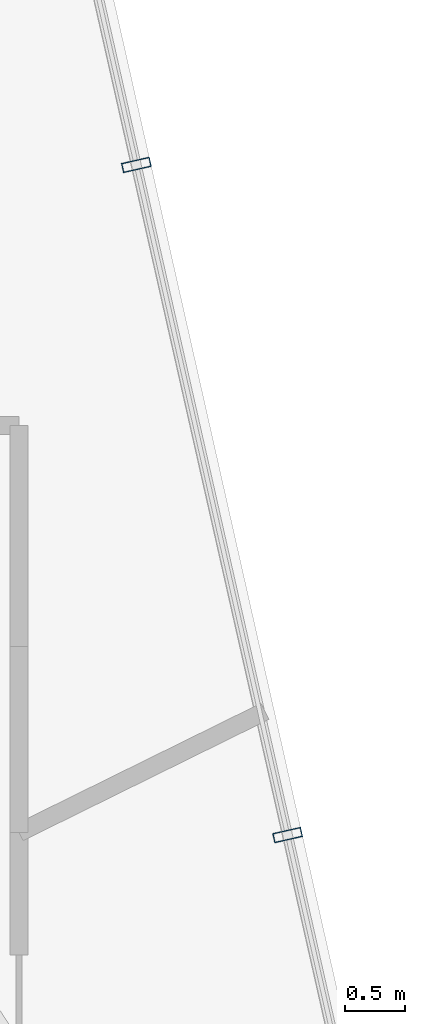
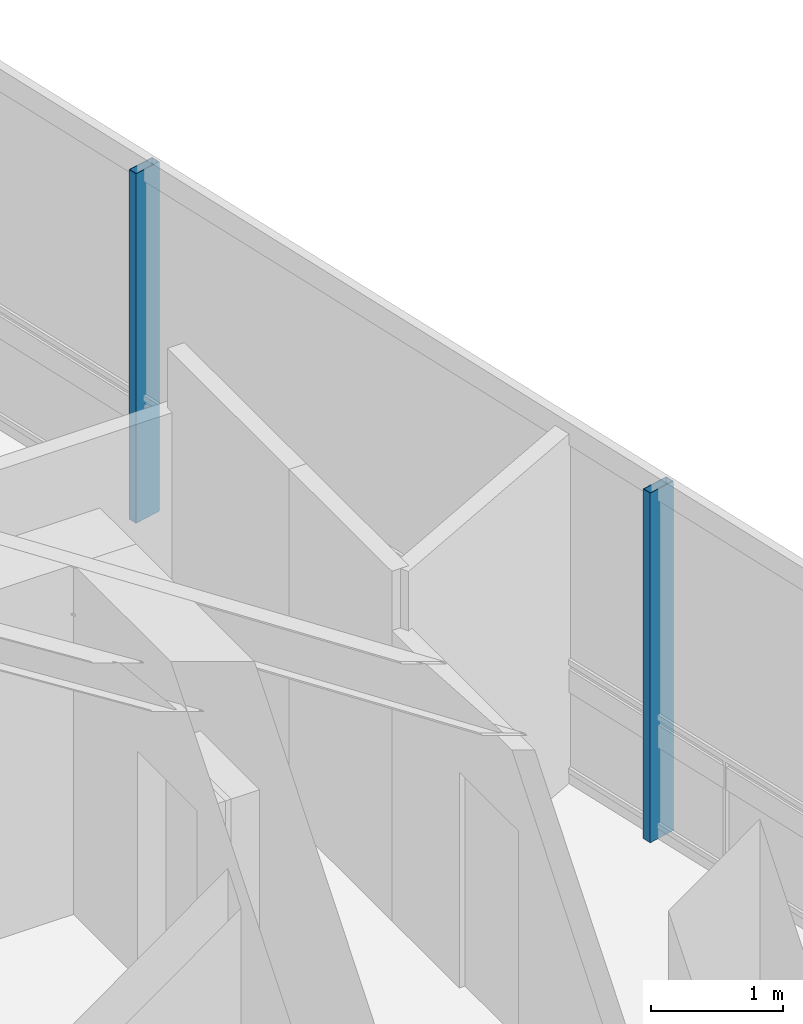
# One storey, part 10 of 19: 2 members, 1 element without a shape of its own.
"""IFC4 building model written with IfcOpenShell, lengths in metres."""

from ifc_helpers import new_model, si_unit, direction, frame, origin, origin_2d, place, context, subcontext, project, spatial, hollow_rectangle, extrude, material, layer, layer_set, material_profile, profile_set, type_object, element, aggregate, save


model = new_model("IFC4")

# Units and contexts
model_context = context("Model", 3, precision=1e-05, world=origin(), true_north=direction((0.0, 1.0)))
body_context = subcontext(model_context, "Body", "Model", "MODEL_VIEW")
ifc_project = project(units=[si_unit("LENGTHUNIT", "METRE"), si_unit("AREAUNIT", "SQUARE_METRE"), si_unit("VOLUMEUNIT", "CUBIC_METRE"), si_unit("PLANEANGLEUNIT", "RADIAN"), si_unit("MASSUNIT", "GRAM", prefix="KILO")], contexts=[model_context])

# Site, building, storey
site_placement = place(None, origin())
site = spatial("IfcSite", under=ifc_project, at=site_placement, CompositionType="ELEMENT")
building_placement = place(site_placement, origin())
building = spatial("IfcBuilding", under=site, at=building_placement, Name="Qarnah Convention Tower", CompositionType="ELEMENT")
storey_placement = place(building_placement, frame((0.0, 0.0, 228.300048828125)))
storey = spatial("IfcBuildingStorey", under=building, at=storey_placement, Name="L61", CompositionType="ELEMENT", Elevation=228.300048828125)

# Curtain wall, members
ifc_material_1 = material(Name="Tempered Low-E dark glass", Category="glass")
ifc_layer = layer(ifc_material_1, 0.176025390625)
ifc_layer_set = layer_set([ifc_layer], Name="Tempered Low-E dark glass")
curtain_wall_type = type_object("IfcCurtainWallType", Name="CWS-05", PredefinedType="NOTDEFINED", material=ifc_layer_set)
curtain_wall_placement = place(storey_placement, origin())
curtain_wall = element("IfcCurtainWall", 1, at=curtain_wall_placement, inside=storey, type_object=curtain_wall_type, Name="L61 unitised curtain wall CW-L61-F2", PredefinedType="NOTDEFINED")
ifc_material_2 = material(Name="Black anodised aluminium", Category="aluminium")
ifc_material_profile = material_profile(ifc_material_2, hollow_rectangle(XDim=0.080078125, YDim=0.239990234375, WallThickness=0.0048828125, at=origin_2d()), Name="MUL-80X240")
ifc_profile_set = profile_set([ifc_material_profile], Name="Black anodised aluminium")
member_type = type_object("IfcMemberType", Name="MUL-T5", PredefinedType="MULLION", material=ifc_profile_set)
member_1_placement = place(storey_placement, frame((50.431640625, 38.232666015625, 0.0), z_axis=(0.0, 0.0, 1.0), x_axis=(0.220179770562, -0.975459311625, 0.0)))
member_1 = element("IfcMember", 2, at=member_1_placement, type_object=member_type, Name="CW-L61-F2 mullion 2", PredefinedType="MULLION", context=body_context, shape_type="SweptSolid", body=[
    extrude(hollow_rectangle(XDim=0.080078125, YDim=0.239990234375, WallThickness=0.0048828125, at=origin_2d()), origin(), (0.0, 0.0, 1.0), 3.239990234375),
])
member_2_placement = place(storey_placement, frame((51.6982421875, 32.62109375, 0.0), z_axis=(0.0, 0.0, 1.0), x_axis=(0.220179770562, -0.975459311625, 0.0)))
member_2 = element("IfcMember", 3, at=member_2_placement, type_object=member_type, Name="CW-L61-F2 mullion 3", PredefinedType="MULLION", context=body_context, shape_type="SweptSolid", body=[
    extrude(hollow_rectangle(XDim=0.080078125, YDim=0.239990234375, WallThickness=0.0048828125, at=origin_2d()), origin(), (0.0, 0.0, 1.0), 3.239990234375),
])
aggregate(curtain_wall, [member_1, member_2])

save(model, "model.ifc")
